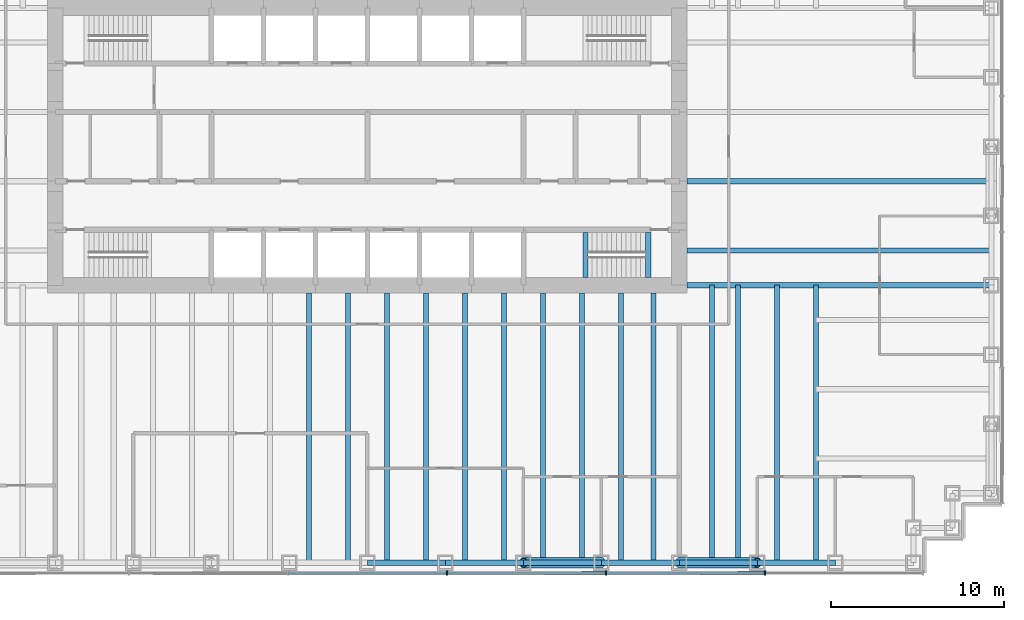
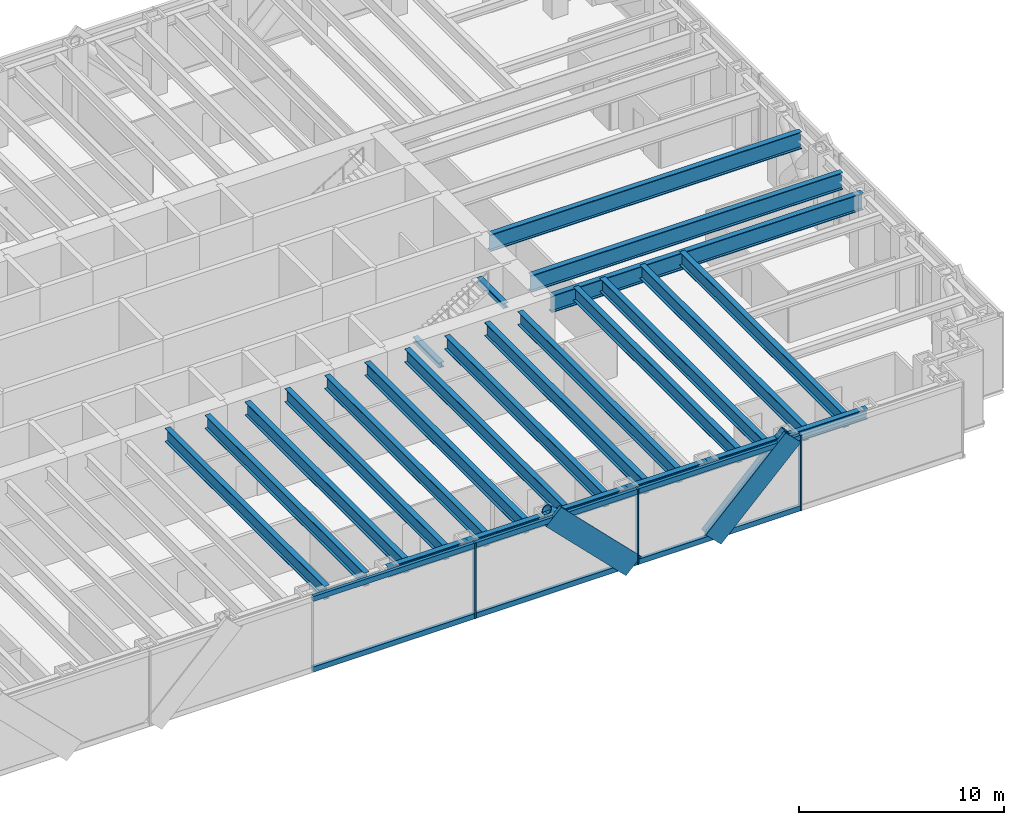
# One storey, part 3 of 13: 25 beams, 13 members, 1 element without a shape of its own.
"""IFC4 building model written with IfcOpenShell, lengths in metres."""

from ifc_helpers import new_model, si_unit, direction, frame, origin, origin_2d, place, context, subcontext, project, spatial, rectangle, hollow_circle, i_section, extrude, material, material_profile, profile_set, type_object, element, aggregate, save


model = new_model("IFC4")

# Units and contexts
model_context = context("Model", 3, precision=1e-05, world=origin(), true_north=direction((0.0, 1.0)))
body_context = subcontext(model_context, "Body", "Model", "MODEL_VIEW")
ifc_project = project(units=[si_unit("LENGTHUNIT", "METRE"), si_unit("AREAUNIT", "SQUARE_METRE"), si_unit("VOLUMEUNIT", "CUBIC_METRE"), si_unit("PLANEANGLEUNIT", "RADIAN"), si_unit("MASSUNIT", "GRAM", prefix="KILO")], contexts=[model_context])

# Site, building, storey
site_placement = place(None, origin())
site = spatial("IfcSite", under=ifc_project, at=site_placement, CompositionType="ELEMENT")
building_placement = place(site_placement, origin())
building = spatial("IfcBuilding", under=site, at=building_placement, Name="Rheinbord Bourse Tower", CompositionType="ELEMENT")
storey_placement = place(building_placement, frame((0.0, 0.0, 81.5)))
storey = spatial("IfcBuildingStorey", under=building, at=storey_placement, Name="L17", CompositionType="ELEMENT", Elevation=81.5)

# Curtain wall, members
ifc_material_1 = material(Name="Dark glass and black aluminium", Category="aluminium")
curtain_wall_type = type_object("IfcCurtainWallType", Name="CW1 DARK GLASS CURTAIN WALL", PredefinedType="USERDEFINED", material=ifc_material_1)
curtain_wall_placement = place(storey_placement, origin())
curtain_wall = element("IfcCurtainWall", 1, at=curtain_wall_placement, inside=storey, type_object=curtain_wall_type, Name="Curtain wall CW1 S L17", ObjectType="UNITISED CURTAIN WALL", PredefinedType="USERDEFINED")
ifc_material_2 = material(Name="Black anodised aluminium", Category="aluminium")
ifc_material_profile_1 = material_profile(ifc_material_2, rectangle(XDim=0.179931640625, YDim=1.2099609375, at=origin_2d()), Name="CW1 DIAGONAL MULLION 1210x180")
ifc_profile_set_1 = profile_set([ifc_material_profile_1], Name="Black anodised aluminium")
member_type_1 = type_object("IfcMemberType", Name="CW1 BLACK DIAGONAL MULLION", PredefinedType="USERDEFINED", material=ifc_profile_set_1)
member_1_placement = place(storey_placement, frame((49.5, -0.60009765625, 0.0), z_axis=(-0.707106781187, 0.0, 0.707106781187), x_axis=(0.0, -1.0, 0.0)))
member_1 = element("IfcMember", 2, at=member_1_placement, type_object=member_type_1, Name="CW1 diagonal mullion a", ObjectType="DIAGONAL MULLION", PredefinedType="USERDEFINED", context=body_context, shape_type="SweptSolid", body=[
    extrude(rectangle(XDim=0.179931640625, YDim=1.2099609375, at=origin_2d()), origin(), (0.0, 0.0, 1.0), 6.364013671875),
])
member_2_placement = place(storey_placement, frame((54.0, -0.60009765625, 0.0), z_axis=(0.707106781187, 0.0, 0.707106781187), x_axis=(0.0, 1.0, 0.0)))
member_2 = element("IfcMember", 3, at=member_2_placement, type_object=member_type_1, Name="CW1 diagonal mullion d", ObjectType="DIAGONAL MULLION", PredefinedType="USERDEFINED", context=body_context, shape_type="SweptSolid", body=[
    extrude(rectangle(XDim=0.179931640625, YDim=1.2099609375, at=origin_2d()), origin(), (0.0, 0.0, 1.0), 6.364013671875),
])
ifc_material_3 = material(Name="Black anodised aluminium", Category="aluminium")
ifc_material_profile_2 = material_profile(ifc_material_3, rectangle(XDim=0.25, YDim=0.080078125, at=origin_2d()), Name="CW1 MULLION 80x250")
ifc_profile_set_2 = profile_set([ifc_material_profile_2], Name="Black anodised aluminium")
member_type_2 = type_object("IfcMemberType", Name="CW1 BLACK MULLION", PredefinedType="MULLION", material=ifc_profile_set_2)
member_3_placement = place(storey_placement, frame((40.585693359375, -0.60009765625, 0.0), z_axis=(0.0, 0.0, 1.0), x_axis=(0.0, 1.0, 0.0)))
member_3 = element("IfcMember", 4, at=member_3_placement, type_object=member_type_2, Name="CW1 mullion 5", PredefinedType="MULLION", context=body_context, shape_type="SweptSolid", body=[
    extrude(rectangle(XDim=0.25, YDim=0.080078125, at=origin_2d()), origin(), (0.0, 0.0, 1.0), 4.5),
])
member_4_placement = place(storey_placement, frame((49.757080078125, -0.60009765625, 0.0), z_axis=(0.0, 0.0, 1.0), x_axis=(0.0, 1.0, 0.0)))
member_4 = element("IfcMember", 5, at=member_4_placement, type_object=member_type_2, Name="CW1 mullion 6", PredefinedType="MULLION", context=body_context, shape_type="SweptSolid", body=[
    extrude(rectangle(XDim=0.25, YDim=0.080078125, at=origin_2d()), origin(), (0.0, 0.0, 1.0), 4.5),
])
member_5_placement = place(storey_placement, frame((58.928466796875, -0.60009765625, 0.0), z_axis=(0.0, 0.0, 1.0), x_axis=(0.0, 1.0, 0.0)))
member_5 = element("IfcMember", 6, at=member_5_placement, type_object=member_type_2, Name="CW1 mullion 7", PredefinedType="MULLION", context=body_context, shape_type="SweptSolid", body=[
    extrude(rectangle(XDim=0.25, YDim=0.080078125, at=origin_2d()), origin(), (0.0, 0.0, 1.0), 4.5),
])
ifc_material_4 = material(Name="Black anodised aluminium", Category="aluminium")
ifc_material_profile_3 = material_profile(ifc_material_4, rectangle(XDim=0.179931640625, YDim=0.300048828125, at=origin_2d()), Name="CW1 TRANSOM 300x180")
ifc_profile_set_3 = profile_set([ifc_material_profile_3], Name="Black anodised aluminium")
member_type_3 = type_object("IfcMemberType", Name="CW1 BLACK TRANSOM", PredefinedType="USERDEFINED", material=ifc_profile_set_3)
member_6_placement = place(storey_placement, frame((31.454345703125, -0.60009765625, 0.14990234375), z_axis=(1.0, 0.0, 0.0), x_axis=(0.0, 1.0, 0.0)))
member_6 = element("IfcMember", 7, at=member_6_placement, type_object=member_type_3, Name="CW1 transom 4.1", ObjectType="TRANSOM", PredefinedType="USERDEFINED", context=body_context, shape_type="SweptSolid", body=[
    extrude(rectangle(XDim=0.179931640625, YDim=0.300048828125, at=origin_2d()), origin(), (0.0, 0.0, 1.0), 9.09130859375),
])
member_7_placement = place(storey_placement, frame((31.454345703125, -0.60009765625, 4.35009765625), z_axis=(1.0, 0.0, 0.0), x_axis=(0.0, 1.0, 0.0)))
member_7 = element("IfcMember", 8, at=member_7_placement, type_object=member_type_3, Name="CW1 transom 4.2", ObjectType="TRANSOM", PredefinedType="USERDEFINED", context=body_context, shape_type="SweptSolid", body=[
    extrude(rectangle(XDim=0.179931640625, YDim=0.300048828125, at=origin_2d()), origin(), (0.0, 0.0, 1.0), 9.09130859375),
])
member_8_placement = place(storey_placement, frame((40.625732421875, -0.60009765625, 0.14990234375), z_axis=(1.0, 0.0, 0.0), x_axis=(0.0, 1.0, 0.0)))
member_8 = element("IfcMember", 9, at=member_8_placement, type_object=member_type_3, Name="CW1 transom 5.1", ObjectType="TRANSOM", PredefinedType="USERDEFINED", context=body_context, shape_type="SweptSolid", body=[
    extrude(rectangle(XDim=0.179931640625, YDim=0.300048828125, at=origin_2d()), origin(), (0.0, 0.0, 1.0), 9.09130859375),
])
member_9_placement = place(storey_placement, frame((40.625732421875, -0.60009765625, 4.35009765625), z_axis=(1.0, 0.0, 0.0), x_axis=(0.0, 1.0, 0.0)))
member_9 = element("IfcMember", 10, at=member_9_placement, type_object=member_type_3, Name="CW1 transom 5.2", ObjectType="TRANSOM", PredefinedType="USERDEFINED", context=body_context, shape_type="SweptSolid", body=[
    extrude(rectangle(XDim=0.179931640625, YDim=0.300048828125, at=origin_2d()), origin(), (0.0, 0.0, 1.0), 9.09130859375),
])
member_10_placement = place(storey_placement, frame((49.797119140625, -0.60009765625, 0.14990234375), z_axis=(1.0, 0.0, 0.0), x_axis=(0.0, 1.0, 0.0)))
member_10 = element("IfcMember", 11, at=member_10_placement, type_object=member_type_3, Name="CW1 transom 6.1", ObjectType="TRANSOM", PredefinedType="USERDEFINED", context=body_context, shape_type="SweptSolid", body=[
    extrude(rectangle(XDim=0.179931640625, YDim=0.300048828125, at=origin_2d()), origin(), (0.0, 0.0, 1.0), 9.091552734375),
])
member_11_placement = place(storey_placement, frame((49.797119140625, -0.60009765625, 4.35009765625), z_axis=(1.0, 0.0, 0.0), x_axis=(0.0, 1.0, 0.0)))
member_11 = element("IfcMember", 12, at=member_11_placement, type_object=member_type_3, Name="CW1 transom 6.2", ObjectType="TRANSOM", PredefinedType="USERDEFINED", context=body_context, shape_type="SweptSolid", body=[
    extrude(rectangle(XDim=0.179931640625, YDim=0.300048828125, at=origin_2d()), origin(), (0.0, 0.0, 1.0), 9.091552734375),
])
aggregate(curtain_wall, [member_3, member_4, member_5, member_6, member_7, member_8, member_9, member_10, member_11, member_1, member_2])

# Beams
ifc_material_5 = material(Name="Steel S460", Category="steel")
ifc_material_profile_4 = material_profile(ifc_material_5, i_section(OverallWidth=0.302001953125, OverallDepth=1.008056640625, WebThickness=0.02099609375, FlangeThickness=0.0400390625, at=origin_2d()), Name="HEM 1000")
ifc_profile_set_4 = profile_set([ifc_material_profile_4], Name="Steel S460")
beam_type_1 = type_object("IfcBeamType", Name="END BEAM HEM 1000", PredefinedType="BEAM", material=ifc_profile_set_4)
for number, where, z_axis, x_axis, name in (
    (13, (54.449951171875, 18.0, 3.81591796875), (1.0, 0.0, 0.0), (0.0, 1.0, 0.0), "End beam east 18 L18"),
    (14, (54.449951171875, 22.0, 3.81591796875), (1.0, 0.0, 0.0), (0.0, 1.0, 0.0), "End beam east 22 L18"),
):
    element("IfcBeam", number, at=place(storey_placement, frame(where, z_axis=z_axis, x_axis=x_axis)), inside=storey, type_object=beam_type_1, Name=name, PredefinedType="BEAM", context=body_context, shape_type="SweptSolid", body=[
        extrude(i_section(OverallWidth=0.302001953125, OverallDepth=1.008056640625, WebThickness=0.02099609375, FlangeThickness=0.0400390625, at=origin_2d()), origin(), (0.0, 0.0, 1.0), 17.550048828125),
    ])
ifc_material_6 = material(Name="Steel S460", Category="steel")
ifc_material_profile_5 = material_profile(ifc_material_6, i_section(OverallWidth=0.300048828125, OverallDepth=0.800048828125, WebThickness=0.017578125, FlangeThickness=0.032958984375, at=origin_2d()), Name="HEB 800")
ifc_profile_set_5 = profile_set([ifc_material_profile_5], Name="Steel S460")
beam_type_2 = type_object("IfcBeamType", Name="FLOOR BEAM HEB 800", PredefinedType="BEAM", material=ifc_profile_set_5)
for number, where, z_axis, x_axis, name in (
    (15, (32.625, 0.0, 3.919921875), (0.0, 1.0, 0.0), (-1.0, 0.0, 0.0), "Floor beam S-31.5a L18"),
    (16, (34.875, 0.0, 3.919921875), (0.0, 1.0, 0.0), (-1.0, 0.0, 0.0), "Floor beam S-31.5b L18"),
    (17, (37.125, 0.0, 3.919921875), (0.0, 1.0, 0.0), (-1.0, 0.0, 0.0), "Floor beam S-36a L18"),
    (18, (39.375, 0.0, 3.919921875), (0.0, 1.0, 0.0), (-1.0, 0.0, 0.0), "Floor beam S-36b L18"),
    (19, (41.625, 0.0, 3.919921875), (0.0, 1.0, 0.0), (-1.0, 0.0, 0.0), "Floor beam S-40.5a L18"),
    (20, (43.875, 0.0, 3.919921875), (0.0, 1.0, 0.0), (-1.0, 0.0, 0.0), "Floor beam S-40.5b L18"),
    (21, (46.125, 0.0, 3.919921875), (0.0, 1.0, 0.0), (-1.0, 0.0, 0.0), "Floor beam S-45a L18"),
    (22, (48.375, 0.0, 3.919921875), (0.0, 1.0, 0.0), (-1.0, 0.0, 0.0), "Floor beam S-45b L18"),
    (23, (50.625, 0.0, 3.919921875), (0.0, 1.0, 0.0), (-1.0, 0.0, 0.0), "Floor beam S-49.5a L18"),
    (24, (52.5, 0.0, 3.919921875), (0.0, 1.0, 0.0), (-1.0, 0.0, 0.0), "Floor beam S-49.5b L18"),
):
    element("IfcBeam", number, at=place(storey_placement, frame(where, z_axis=z_axis, x_axis=x_axis)), inside=storey, type_object=beam_type_2, Name=name, PredefinedType="BEAM", context=body_context, shape_type="SweptSolid", body=[
        extrude(i_section(OverallWidth=0.300048828125, OverallDepth=0.800048828125, WebThickness=0.017578125, FlangeThickness=0.032958984375, at=origin_2d()), origin(), (0.0, 0.0, 1.0), 15.550048828125),
    ])
for number, where, z_axis, x_axis, name in (
    (25, (55.875, 0.0, 3.919921875), (0.0, 1.0, 0.0), (-1.0, 0.0, 0.0), "Floor beam S-54a L18"),
    (26, (57.375, 0.0, 3.919921875), (0.0, 1.0, 0.0), (-1.0, 0.0, 0.0), "Floor beam S-54b L18"),
    (27, (59.625, 0.0, 3.919921875), (0.0, 1.0, 0.0), (-1.0, 0.0, 0.0), "Floor beam S-58.5a L18"),
    (28, (61.875, 0.0, 3.919921875), (0.0, 1.0, 0.0), (-1.0, 0.0, 0.0), "Floor beam S-58.5b L18"),
):
    element("IfcBeam", number, at=place(storey_placement, frame(where, z_axis=z_axis, x_axis=x_axis)), inside=storey, type_object=beam_type_2, Name=name, PredefinedType="BEAM", context=body_context, shape_type="SweptSolid", body=[
        extrude(i_section(OverallWidth=0.300048828125, OverallDepth=0.800048828125, WebThickness=0.017578125, FlangeThickness=0.032958984375, at=origin_2d()), origin(), (0.0, 0.0, 1.0), 16.0),
    ])
ifc_material_7 = material(Name="Steel S460", Category="steel")
ifc_material_profile_6 = material_profile(ifc_material_7, i_section(OverallWidth=0.302001953125, OverallDepth=1.008056640625, WebThickness=0.02099609375, FlangeThickness=0.0400390625, at=origin_2d()), Name="HEM 1000")
ifc_profile_set_6 = profile_set([ifc_material_profile_6], Name="Steel S460")
beam_type_3 = type_object("IfcBeamType", Name="GIRDER HEM 1000", PredefinedType="BEAM", material=ifc_profile_set_6)
beam_placement = place(storey_placement, frame((54.449951171875, 16.0, 3.81591796875), z_axis=(1.0, 0.0, 0.0), x_axis=(0.0, 1.0, 0.0)))
element("IfcBeam", 29, at=beam_placement, inside=storey, type_object=beam_type_3, Name="Girder east 16 L18", PredefinedType="BEAM", context=body_context, shape_type="SweptSolid", body=[
    extrude(i_section(OverallWidth=0.302001953125, OverallDepth=1.008056640625, WebThickness=0.02099609375, FlangeThickness=0.0400390625, at=origin_2d()), origin(), (0.0, 0.0, 1.0), 17.550048828125),
])
ifc_material_8 = material(Name="Steel S460", Category="steel")
ifc_material_profile_7 = material_profile(ifc_material_8, i_section(OverallWidth=0.300048828125, OverallDepth=0.300048828125, WebThickness=0.010986328125, FlangeThickness=0.01904296875, at=origin_2d()), Name="HEB 300")
ifc_profile_set_7 = profile_set([ifc_material_profile_7], Name="Steel S460")
beam_type_4 = type_object("IfcBeamType", Name="LANDING TRIMMER HEB 300", PredefinedType="BEAM", material=ifc_profile_set_7)
for number, where, z_axis, x_axis, name in (
    (30, (48.590087890625, 16.449951171875, 1.89990234375), (0.0, 1.0, 0.0), (-1.0, 0.0, 0.0), "Landing trimmer ST3 L17"),
    (31, (52.199951171875, 16.449951171875, 4.169921875), (0.0, 1.0, 0.0), (-1.0, 0.0, 0.0), "Well trimmer ST3 under L18"),
):
    element("IfcBeam", number, at=place(storey_placement, frame(where, z_axis=z_axis, x_axis=x_axis)), inside=storey, type_object=beam_type_4, Name=name, PredefinedType="BEAM", context=body_context, shape_type="SweptSolid", body=[
        extrude(i_section(OverallWidth=0.300048828125, OverallDepth=0.300048828125, WebThickness=0.010986328125, FlangeThickness=0.01904296875, at=origin_2d()), origin(), (0.0, 0.0, 1.0), 2.60009765625),
    ])

# Members
ifc_material_9 = material(Name="Steel S460", Category="steel")
ifc_material_profile_8 = material_profile(ifc_material_9, hollow_circle(Radius=0.304931640625, WallThickness=0.050048828125, at=origin_2d()), Name="CHS 610x50")
ifc_profile_set_8 = profile_set([ifc_material_profile_8], Name="Steel S460")
member_type_4 = type_object("IfcMemberType", Name="MEGABRACE CHS 610x50", PredefinedType="BRACE", material=ifc_profile_set_8)
for number, where, z_axis, x_axis, name in (
    (32, (49.5, 0.0, 0.0), (-0.707106781187, 0.0, 0.707106781187), (0.0, -1.0, 0.0), "Megabrace S face line a L17"),
    (33, (54.0, 0.0, 0.0), (0.707106781187, 0.0, 0.707106781187), (0.0, 1.0, 0.0), "Megabrace S face line d L17"),
):
    element("IfcMember", number, at=place(storey_placement, frame(where, z_axis=z_axis, x_axis=x_axis)), inside=storey, type_object=member_type_4, Name=name, PredefinedType="BRACE", context=body_context, shape_type="SweptSolid", body=[
        extrude(hollow_circle(Radius=0.304931640625, WallThickness=0.050048828125, at=origin_2d()), origin(), (0.0, 0.0, 1.0), 6.364013671875),
    ])

# Beams
ifc_material_10 = material(Name="Steel S460", Category="steel")
ifc_material_profile_9 = material_profile(ifc_material_10, i_section(OverallWidth=0.304931640625, OverallDepth=0.6201171875, WebThickness=0.02099609375, FlangeThickness=0.0400390625, at=origin_2d()), Name="HEM 600")
ifc_profile_set_9 = profile_set([ifc_material_profile_9], Name="Steel S460")
beam_type_5 = type_object("IfcBeamType", Name="SPANDREL HEM 600", PredefinedType="SPANDREL", material=ifc_profile_set_9)
for number, where, z_axis, x_axis, name in (
    (34, (36.0, 0.0, 4.010009765625), (1.0, 0.0, 0.0), (0.0, 1.0, 0.0), "Spandrel S-36-S-40.5 under L18"),
    (35, (40.5, 0.0, 4.010009765625), (1.0, 0.0, 0.0), (0.0, 1.0, 0.0), "Spandrel S-40.5-S-45 under L18"),
    (36, (45.0, 0.0, 4.010009765625), (1.0, 0.0, 0.0), (0.0, 1.0, 0.0), "Spandrel S-45-S-49.5 under L18"),
    (37, (49.5, 0.0, 4.010009765625), (1.0, 0.0, 0.0), (0.0, 1.0, 0.0), "Spandrel S-49.5-S-54 under L18"),
    (38, (54.0, 0.0, 4.010009765625), (1.0, 0.0, 0.0), (0.0, 1.0, 0.0), "Spandrel S-54-S-58.5 under L18"),
    (39, (58.5, 0.0, 4.010009765625), (1.0, 0.0, 0.0), (0.0, 1.0, 0.0), "Spandrel S-58.5-S-63 under L18"),
):
    element("IfcBeam", number, at=place(storey_placement, frame(where, z_axis=z_axis, x_axis=x_axis)), inside=storey, type_object=beam_type_5, Name=name, PredefinedType="SPANDREL", context=body_context, shape_type="SweptSolid", body=[
        extrude(i_section(OverallWidth=0.304931640625, OverallDepth=0.6201171875, WebThickness=0.02099609375, FlangeThickness=0.0400390625, at=origin_2d()), origin(), (0.0, 0.0, 1.0), 4.5),
    ])

save(model, "model.ifc")
